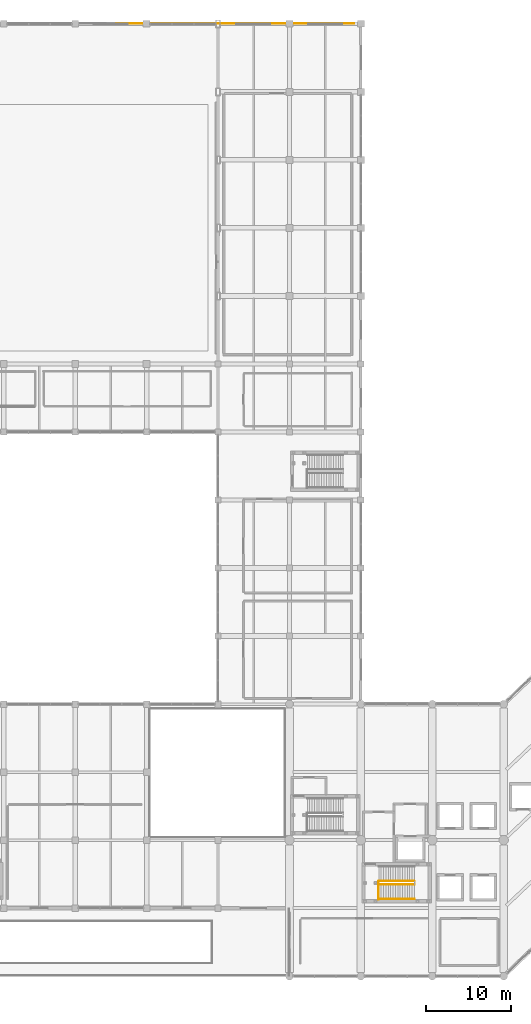
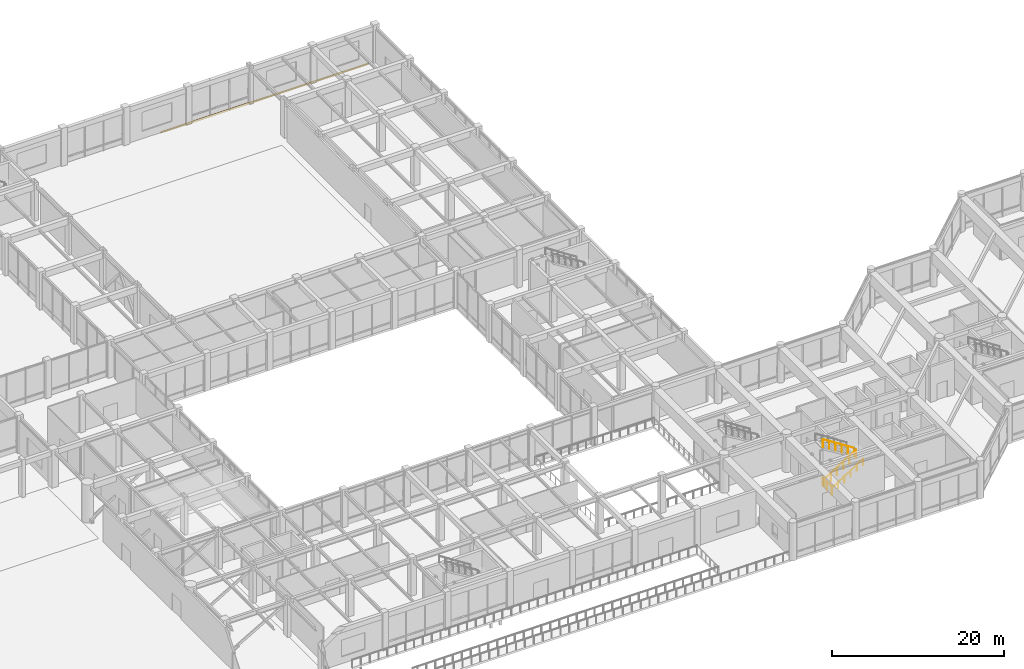
# One storey, part 78 of 79: 4 railings, 1 covering.
"""IFC4 building model written with IfcOpenShell, lengths in metres."""

from ifc_helpers import new_model, si_unit, direction, frame, origin, origin_2d, place, context, subcontext, project, spatial, rectangle, circle, extrude, material, layer, layer_set, type_object, element, save


model = new_model("IFC4")

# Units and contexts
model_context = context("Model", 3, precision=1e-05, world=origin(), true_north=direction((0.0, 1.0)))
body_context = subcontext(model_context, "Body", "Model", "MODEL_VIEW")
ifc_project = project(units=[si_unit("LENGTHUNIT", "METRE"), si_unit("AREAUNIT", "SQUARE_METRE"), si_unit("VOLUMEUNIT", "CUBIC_METRE"), si_unit("PLANEANGLEUNIT", "RADIAN"), si_unit("MASSUNIT", "GRAM", prefix="KILO")], contexts=[model_context])

# Site, building, storey
site_placement = place(None, origin())
site = spatial("IfcSite", under=ifc_project, at=site_placement, CompositionType="ELEMENT")
building_placement = place(site_placement, origin())
building = spatial("IfcBuilding", under=site, at=building_placement, Name="Naruveol Harbour Congress Hotel", CompositionType="ELEMENT")
storey_placement = place(building_placement, frame((0.0, 0.0, 6.0)))
storey = spatial("IfcBuildingStorey", under=building, at=storey_placement, Name="L01", CompositionType="ELEMENT", Elevation=6.0)

# Covering
ifc_material_1 = material(Name="Precast concrete C40/50", Category="concrete")
ifc_layer_1 = layer(ifc_material_1, 0.044921875)
ifc_layer_set_1 = layer_set([ifc_layer_1], Name="Precast concrete C40/50")
covering_type = type_object("IfcCoveringType", Name="HONED INCHEON GRANITE SPANDREL CLADDING 45", PredefinedType="CLADDING", material=ifc_layer_set_1)
covering_placement = place(storey_placement, frame((111.199951171875, 112.02001953125, -0.2900390625), z_axis=(0.0, 0.0, 1.0), x_axis=(1.0, 0.0, 0.0)))
element("IfcCovering", 1, at=covering_placement, inside=storey, type_object=covering_type, Name="Granite spandrel fascia cladding #6", PredefinedType="CLADDING", context=body_context, shape_type="SweptSolid", body=[
    extrude(rectangle(XDim=28.0, YDim=0.044921875, at=origin_2d()), origin(), (0.0, 0.0, 1.0), 0.280029296875),
])

# Railings
ifc_material_2 = material(Name="Stainless Steel 304", Category="steel")
ifc_layer_2 = layer(ifc_material_2, 0.0419921875)
ifc_layer_set_2 = layer_set([ifc_layer_2], Name="Stainless Steel 304")
railing_type_1 = type_object("IfcRailingType", Name="STAIR WALL MOUNTED HANDRAIL 900", PredefinedType="HANDRAIL", material=ifc_layer_set_2)
railing_1_placement = place(storey_placement, frame((128.10009765625, 9.06005859375, 0.0)))
element("IfcRailing", 2, at=railing_1_placement, inside=storey, type_object=railing_type_1, Name="Stair ST1 L01 lower wall handrail", PredefinedType="HANDRAIL", context=body_context, shape_type="SweptSolid", body=[
    extrude(circle(Radius=0.02392578125, at=origin_2d()), frame((0.0, 0.0, 0.8759765625), z_axis=(0.841180064094, 0.0, 0.540755119968), x_axis=(0.0, 1.0, 0.0)), (0.0, 0.0, 1.0), 4.992919921875),
    extrude(circle(Radius=0.02099609375, at=origin_2d()), origin(), (0.0, 0.0, 1.0), 0.851806640625),
    extrude(circle(Radius=0.02099609375, at=origin_2d()), frame((0.840087890625, 0.0, 0.5400390625)), (0.0, 0.0, 1.0), 0.851806640625),
    extrude(circle(Radius=0.02099609375, at=origin_2d()), frame((1.679931640625, 0.0, 1.080078125)), (0.0, 0.0, 1.0), 0.851806640625),
    extrude(circle(Radius=0.02099609375, at=origin_2d()), frame((2.52001953125, 0.0, 1.619873046875)), (0.0, 0.0, 1.0), 0.851806640625),
    extrude(circle(Radius=0.02099609375, at=origin_2d()), frame((3.35986328125, 0.0, 2.159912109375)), (0.0, 0.0, 1.0), 0.851806640625),
    extrude(circle(Radius=0.02099609375, at=origin_2d()), frame((4.199951171875, 0.0, 2.699951171875)), (0.0, 0.0, 1.0), 0.851806640625),
])
ifc_material_3 = material(Name="Steel SN490", Category="steel")
ifc_layer_3 = layer(ifc_material_3, 0.044921875)
ifc_layer_set_3 = layer_set([ifc_layer_3], Name="Steel SN490")
railing_type_2 = type_object("IfcRailingType", Name="STAIRWELL STEEL GUARDRAIL 1150", PredefinedType="GUARDRAIL", material=ifc_layer_set_3)
railing_2_placement = place(storey_placement, frame((128.10009765625, 10.7900390625, 0.0)))
element("IfcRailing", 3, at=railing_2_placement, inside=storey, type_object=railing_type_2, Name="Stair ST1 L01 lower well guard", PredefinedType="GUARDRAIL", context=body_context, shape_type="SweptSolid", body=[
    extrude(circle(Radius=0.02392578125, at=origin_2d()), frame((0.0, 0.0, 1.1259765625), z_axis=(0.841180064094, 0.0, 0.540755119968), x_axis=(0.0, 1.0, 0.0)), (0.0, 0.0, 1.0), 4.992919921875),
    extrude(circle(Radius=0.02099609375, at=origin_2d()), origin(), (0.0, 0.0, 1.0), 1.101806640625),
    extrude(circle(Radius=0.02099609375, at=origin_2d()), frame((0.840087890625, 0.0, 0.5400390625)), (0.0, 0.0, 1.0), 1.101806640625),
    extrude(circle(Radius=0.02099609375, at=origin_2d()), frame((1.679931640625, 0.0, 1.080078125)), (0.0, 0.0, 1.0), 1.101806640625),
    extrude(circle(Radius=0.02099609375, at=origin_2d()), frame((2.52001953125, 0.0, 1.619873046875)), (0.0, 0.0, 1.0), 1.101806640625),
    extrude(circle(Radius=0.02099609375, at=origin_2d()), frame((3.35986328125, 0.0, 2.159912109375)), (0.0, 0.0, 1.0), 1.101806640625),
    extrude(circle(Radius=0.02099609375, at=origin_2d()), frame((4.199951171875, 0.0, 2.699951171875)), (0.0, 0.0, 1.0), 1.101806640625),
])
railing_3_placement = place(storey_placement, frame((132.300048828125, 11.169921875, 2.699951171875)))
element("IfcRailing", 4, at=railing_3_placement, inside=storey, type_object=railing_type_2, Name="Stair ST1 L01 upper well guard", PredefinedType="GUARDRAIL", context=body_context, shape_type="SweptSolid", body=[
    extrude(circle(Radius=0.02392578125, at=origin_2d()), frame((0.0, 0.0, 1.1259765625), z_axis=(-0.841180064094, 0.0, 0.540755119968), x_axis=(0.0, -1.0, 0.0)), (0.0, 0.0, 1.0), 4.992919921875),
    extrude(circle(Radius=0.02099609375, at=origin_2d()), origin(), (0.0, 0.0, 1.0), 1.101806640625),
    extrude(circle(Radius=0.02099609375, at=origin_2d()), frame((-0.840087890625, 0.0, 0.5400390625)), (0.0, 0.0, 1.0), 1.101806640625),
    extrude(circle(Radius=0.02099609375, at=origin_2d()), frame((-1.679931640625, 0.0, 1.080078125)), (0.0, 0.0, 1.0), 1.101806640625),
    extrude(circle(Radius=0.02099609375, at=origin_2d()), frame((-2.52001953125, 0.0, 1.619873046875)), (0.0, 0.0, 1.0), 1.101806640625),
    extrude(circle(Radius=0.02099609375, at=origin_2d()), frame((-3.35986328125, 0.0, 2.159912109375)), (0.0, 0.0, 1.0), 1.101806640625),
    extrude(circle(Radius=0.02099609375, at=origin_2d()), frame((-4.199951171875, 0.0, 2.699951171875)), (0.0, 0.0, 1.0), 1.101806640625),
])
railing_4_placement = place(storey_placement, frame((128.06005859375, 9.02001953125, 0.0)))
element("IfcRailing", 5, at=railing_4_placement, inside=storey, type_object=railing_type_2, Name="Stair ST1 L01 landing well guard", PredefinedType="GUARDRAIL", context=body_context, shape_type="SweptSolid", body=[
    extrude(circle(Radius=0.02392578125, at=origin_2d()), frame((0.0, 0.0, 1.1259765625), z_axis=(0.0, 1.0, 0.0), x_axis=(-1.0, 0.0, 0.0)), (0.0, 0.0, 1.0), 2.14990234375),
    extrude(circle(Radius=0.02099609375, at=origin_2d()), origin(), (0.0, 0.0, 1.0), 1.101806640625),
    extrude(circle(Radius=0.02099609375, at=origin_2d()), frame((0.0, 1.074951171875, 0.0)), (0.0, 0.0, 1.0), 1.101806640625),
    extrude(circle(Radius=0.02099609375, at=origin_2d()), frame((0.0, 2.14990234375, 0.0)), (0.0, 0.0, 1.0), 1.101806640625),
])

save(model, "model.ifc")
